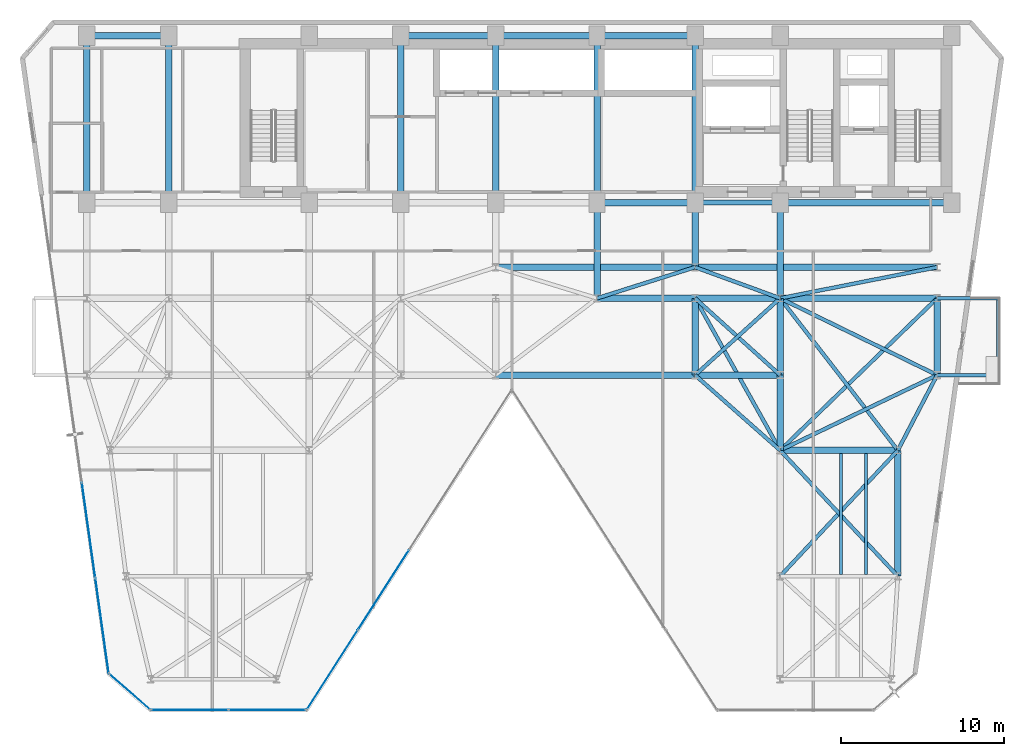
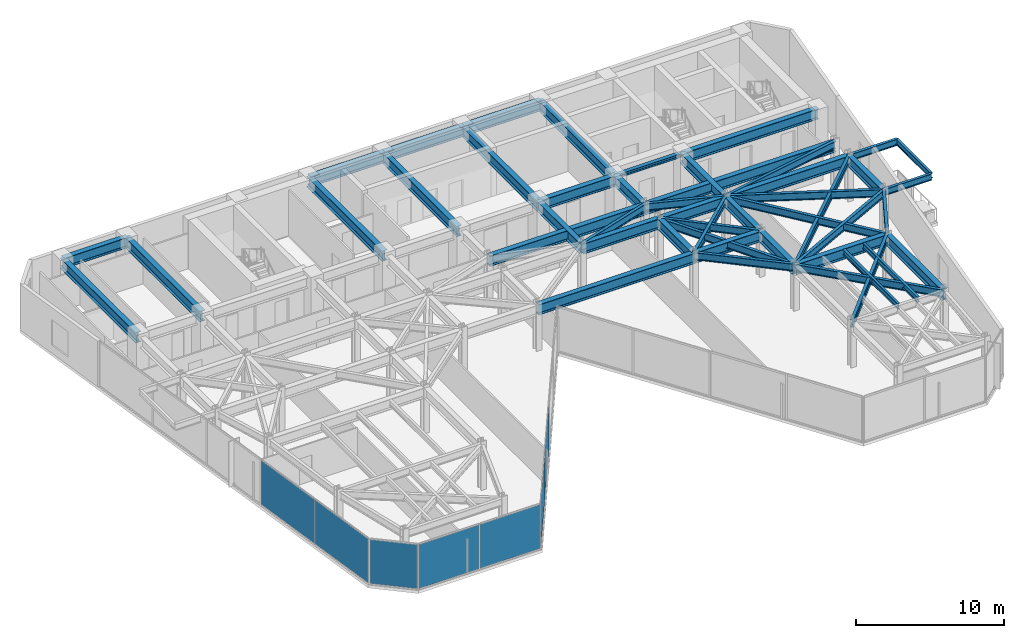
# One storey, part 20 of 26: 48 beams, 7 plates, 4 elements without a shape of their own.
"""IFC4 building model written with IfcOpenShell, lengths in metres."""

import ifcopenshell
import ifcopenshell.guid

model = None  # the IFC model being written
_history = None  # IfcOwnerHistory: only IFC2X3 demands one
_inside = {}  # id of a spatial element -> (the spatial element, [elements in it])
_under = {}  # id of a project, library or spatial element -> (it, [spatial elements below it])
_declared = {}  # id of a project -> (the project, [libraries it declares])
_typed = {}  # id of a type object -> (the type object, [elements of that type])
_made_of = {}  # id of a material, layer set ... -> (it, [elements and type objects made of it])


def new_model(schema):
    """Start an empty IFC model of exactly this schema.

    Asked for "IFC4X3", IfcOpenShell would pick the latest addendum, in which some entities
    have other attributes; the version numbers below select the first issue.
    IFC2X3 requires an IfcOwnerHistory on every rooted entity: one is made here for all.
    """
    global model, _history
    if schema == "IFC4X3":
        model = ifcopenshell.file(schema_version=(4, 3, 0, 0))
    else:
        model = ifcopenshell.file(schema=schema)
    _inside.clear()
    _under.clear()
    _declared.clear()
    _typed.clear()
    _made_of.clear()
    _history = None
    if model.schema == "IFC2X3":
        org = make("IfcOrganization", Name="unknown")
        user = make(
            "IfcPersonAndOrganization",
            ThePerson=make("IfcPerson", FamilyName="unknown"),
            TheOrganization=org,
        )
        app = make(
            "IfcApplication",
            ApplicationDeveloper=org,
            Version="unknown",
            ApplicationFullName="unknown",
            ApplicationIdentifier="unknown",
        )
        _history = make(
            "IfcOwnerHistory",
            OwningUser=user,
            OwningApplication=app,
            ChangeAction="ADDED",
            CreationDate=0,
        )
    return model


def make(cls, **values):
    """One entity of the class cls with the attributes given. An attribute that is None is left unset."""
    return model.create_entity(
        cls, **{name: value for name, value in values.items() if value is not None}
    )


def rooted(cls, **values):
    """An entity with a GlobalId (a new one), such as an element, a storey or a relation."""
    return make(cls, GlobalId=ifcopenshell.guid.new(), OwnerHistory=_history, **values)


def si_unit(unit_type, name, prefix=None):
    """IfcSIUnit, for example si_unit("LENGTHUNIT", "METRE", prefix="MILLI")."""
    return make("IfcSIUnit", UnitType=unit_type, Prefix=prefix, Name=name)


def assignment(units):
    """IfcUnitAssignment: the units of a project."""
    return None if units is None else make("IfcUnitAssignment", Units=units)


def point(xyz):
    """IfcCartesianPoint."""
    return None if xyz is None else make("IfcCartesianPoint", Coordinates=xyz)


def direction(xyz):
    """IfcDirection."""
    return None if xyz is None else make("IfcDirection", DirectionRatios=xyz)


def frame(location, z_axis=None, x_axis=None):
    """IfcAxis2Placement3D, a coordinate frame: its origin and axes. An axis left out is left unset."""
    return make(
        "IfcAxis2Placement3D",
        Location=point(location),
        Axis=direction(z_axis),
        RefDirection=direction(x_axis),
    )


def frame_2d(location, x_axis=None):
    """IfcAxis2Placement2D, a coordinate frame in the plane: its origin and x axis."""
    return make(
        "IfcAxis2Placement2D", Location=point(location), RefDirection=direction(x_axis)
    )


def origin():
    """The frame at (0, 0, 0) with its axes left unset."""
    return frame((0.0, 0.0, 0.0))


def origin_2d():
    """The frame at (0, 0) in the plane with its x axis left unset."""
    return frame_2d((0.0, 0.0))


def place(relative_to, where):
    """IfcLocalPlacement: puts the frame where relative to a parent placement (None: the world)."""
    return make(
        "IfcLocalPlacement", PlacementRelTo=relative_to, RelativePlacement=where
    )


def context(
    kind, dimensions, precision=None, world=None, true_north=None, identifier=None
):
    """IfcGeometricRepresentationContext, for example the 3D "Model" context."""
    return make(
        "IfcGeometricRepresentationContext",
        ContextIdentifier=identifier,
        ContextType=kind,
        CoordinateSpaceDimension=dimensions,
        Precision=precision,
        WorldCoordinateSystem=world,
        TrueNorth=true_north,
    )


def subcontext(parent, identifier, kind, view, scale=None):
    """IfcGeometricRepresentationSubContext, for example "Body" below "Model"."""
    return make(
        "IfcGeometricRepresentationSubContext",
        ContextIdentifier=identifier,
        ContextType=kind,
        ParentContext=parent,
        TargetScale=scale,
        TargetView=view,
    )


def project(units=None, contexts=None):
    """IfcProject with its units and contexts."""
    return rooted(
        "IfcProject",
        Name="project",
        RepresentationContexts=contexts,
        UnitsInContext=assignment(units),
    )


def spatial(cls, under=None, at=None, **own):
    """A site, building, storey or space (cls), placed at a placement, below another one or the project."""
    s = rooted(cls, ObjectPlacement=at, **own)
    if under is not None:
        _under.setdefault(under.id(), (under, []))[1].append(s)
    return s


def profile(cls, at=None, kind="AREA", **sizes):
    """A parametric profile (cls). Its sizes go by their IFC names, for example OverallWidth=200.0."""
    return make(cls, ProfileType=kind, Position=at, **sizes)


def rectangle(**sizes):
    """IfcRectangleProfileDef."""
    return profile("IfcRectangleProfileDef", **sizes)


def i_section(**sizes):
    """IfcIShapeProfileDef."""
    return profile("IfcIShapeProfileDef", **sizes)


def extrude(swept, where, along, depth):
    """IfcExtrudedAreaSolid: the profile swept, set in the frame where, extruded along a direction by depth."""
    return make(
        "IfcExtrudedAreaSolid",
        SweptArea=swept,
        Position=where,
        ExtrudedDirection=direction(along),
        Depth=depth,
    )


def shape(context_of_items, identifier, shape_type, items):
    """IfcShapeRepresentation: the items that make up one representation, for example the "Body"."""
    return make(
        "IfcShapeRepresentation",
        ContextOfItems=context_of_items,
        RepresentationIdentifier=identifier,
        RepresentationType=shape_type,
        Items=items,
    )


def material(Name=None, Category=None):
    """IfcMaterial."""
    return make("IfcMaterial", Name=Name, Category=Category)


def layer(
    of_material, thickness, ventilated=None, Name=None, Category=None, Priority=None
):
    """IfcMaterialLayer: one layer of a wall or slab, of a material (None: an air gap)."""
    return make(
        "IfcMaterialLayer",
        Material=of_material,
        LayerThickness=thickness,
        IsVentilated=ventilated,
        Name=Name,
        Category=Category,
        Priority=Priority,
    )


def layer_set(layers, Name=None):
    """IfcMaterialLayerSet."""
    return make("IfcMaterialLayerSet", MaterialLayers=layers, LayerSetName=Name)


def material_profile(
    of_material, cross_section, Name=None, Category=None, Priority=None
):
    """IfcMaterialProfile: a cross section and its material."""
    return make(
        "IfcMaterialProfile",
        Name=Name,
        Material=of_material,
        Profile=cross_section,
        Priority=Priority,
        Category=Category,
    )


def profile_set(profiles, Name=None, composite=None):
    """IfcMaterialProfileSet."""
    return make(
        "IfcMaterialProfileSet",
        Name=Name,
        MaterialProfiles=profiles,
        CompositeProfile=composite,
    )


def made_of(thing, what):
    """Note that an element or type object is made of a material, layer set ...; save() writes the relation."""
    if what is not None:
        _made_of.setdefault(what.id(), (what, []))[1].append(thing)
    return thing


def type_object(cls, material=None, **own):
    """A type object (cls), such as IfcWallType, which elements share."""
    return made_of(rooted(cls, **own), material)


def element(
    cls,
    number,
    at=None,
    inside=None,
    cuts=None,
    type_object=None,
    material=None,
    context=None,
    identifier="Body",
    shape_type=None,
    held_by="IfcProductDefinitionShape",
    body=None,
    shapes=None,
    **own,
):
    """One element of the class cls, such as IfcWall. Its Tag is "e" and its number.

    at: its placement. inside: the storey or other place that contains it. cuts: it is an
    opening in that element (IfcRelVoidsElement). A single representation is given by context,
    identifier, shape_type and body (its items); several are given by shapes. held_by: the class
    of the entity that holds the representations. save() writes the other relations.
    """
    e = rooted(cls, Tag="e%d" % number, ObjectPlacement=at, **own)
    if body is not None:
        shapes = [shape(context, identifier, shape_type, body)]
    if shapes is not None:
        e.Representation = make(held_by, Representations=shapes)
    if inside is not None:
        _inside.setdefault(inside.id(), (inside, []))[1].append(e)
    if cuts is not None:
        rooted(
            "IfcRelVoidsElement", RelatingBuildingElement=cuts, RelatedOpeningElement=e
        )
    if type_object is not None:
        _typed.setdefault(type_object.id(), (type_object, []))[1].append(e)
    return made_of(e, material)


def aggregate(whole, parts):
    """IfcRelAggregates: a whole, such as a stair, and the parts it consists of."""
    return rooted("IfcRelAggregates", RelatingObject=whole, RelatedObjects=parts)


def save(model, path):
    """Write the relations noted so far, then the file.

    IfcRelAggregates (storeys below a building ...), IfcRelContainedInSpatialStructure (elements
    in a storey), IfcRelDefinesByType, IfcRelAssociatesMaterial and IfcRelDeclares: one each for
    every whole, place, type object, material and project.
    """
    for whole, parts in _under.values():
        aggregate(whole, parts)
    for where, things in _inside.values():
        rooted(
            "IfcRelContainedInSpatialStructure",
            RelatedElements=things,
            RelatingStructure=where,
        )
    for kind, things in _typed.values():
        rooted("IfcRelDefinesByType", RelatedObjects=things, RelatingType=kind)
    for what, things in _made_of.values():
        rooted("IfcRelAssociatesMaterial", RelatedObjects=things, RelatingMaterial=what)
    for by, libraries in _declared.values():
        rooted("IfcRelDeclares", RelatingContext=by, RelatedDefinitions=libraries)
    model.write(path)


model = new_model("IFC4")

# Units and contexts
model_context = context("Model", 3, precision=1e-05, world=origin(), true_north=direction((0.0, 1.0)))
body_context = subcontext(model_context, "Body", "Model", "MODEL_VIEW")
ifc_project = project(units=[si_unit("LENGTHUNIT", "METRE"), si_unit("AREAUNIT", "SQUARE_METRE"), si_unit("VOLUMEUNIT", "CUBIC_METRE"), si_unit("PLANEANGLEUNIT", "RADIAN"), si_unit("MASSUNIT", "GRAM", prefix="KILO")], contexts=[model_context])

# Site, building, storey
site_placement = place(None, origin())
site = spatial("IfcSite", under=ifc_project, at=site_placement, CompositionType="ELEMENT")
building_placement = place(site_placement, origin())
building = spatial("IfcBuilding", under=site, at=building_placement, Name="Kravanh Interchange Tower", CompositionType="ELEMENT")
storey_placement = place(building_placement, frame((0.0, 0.0, 100.0)))
storey = spatial("IfcBuildingStorey", under=building, at=storey_placement, Name="L23", CompositionType="ELEMENT", Elevation=100.0)

# Beams
ifc_material_1 = material(Name="Structural Steel S355", Category="steel")
ifc_material_profile_1 = material_profile(ifc_material_1, i_section(OverallWidth=0.39990234375, OverallDepth=0.85595703125, WebThickness=0.018310546875, FlangeThickness=0.029296875, FilletRadius=0.02490234375, at=origin_2d()), Name="W33X201")
ifc_profile_set_1 = profile_set([ifc_material_profile_1], Name="Structural Steel S355")
beam_type_1 = type_object("IfcBeamType", Name="Floor Beam W33X201 Structural Steel S355", PredefinedType="BEAM", material=ifc_profile_set_1)
beam_1_placement = place(storey_placement, frame((66.5, 37.35009765625, 3.322021484375), z_axis=(-1.0, 0.0, 0.0), x_axis=(0.0, -1.0, 0.0)))
element("IfcBeam", 1, at=beam_1_placement, inside=storey, type_object=beam_type_1, Name="L23 Primary Floor Girder 5", PredefinedType="BEAM", context=body_context, shape_type="SweptSolid", body=[
    extrude(i_section(OverallWidth=0.39990234375, OverallDepth=0.85595703125, WebThickness=0.018310546875, FlangeThickness=0.029296875, FilletRadius=0.02490234375, at=origin_2d()), origin(), (0.0, 0.0, 1.0), 10.5),
])
beam_2_placement = place(storey_placement, frame((56.0, 37.35009765625, 3.322021484375), z_axis=(0.0, -1.0, 0.0), x_axis=(1.0, 0.0, 0.0)))
element("IfcBeam", 2, at=beam_2_placement, inside=storey, type_object=beam_type_1, Name="L23 Primary Floor Girder 7", PredefinedType="BEAM", context=body_context, shape_type="SweptSolid", body=[
    extrude(i_section(OverallWidth=0.39990234375, OverallDepth=0.85595703125, WebThickness=0.018310546875, FlangeThickness=0.029296875, FilletRadius=0.02490234375, at=origin_2d()), origin(), (0.0, 0.0, 1.0), 5.85009765625),
])
beam_3_placement = place(storey_placement, frame((50.800048828125, 47.550048828125, 3.322021484375), z_axis=(-1.0, 0.0, 0.0), x_axis=(0.0, -1.0, 0.0)))
element("IfcBeam", 3, at=beam_3_placement, inside=storey, type_object=beam_type_1, Name="L23 Primary Floor Girder 8", PredefinedType="BEAM", context=body_context, shape_type="SweptSolid", body=[
    extrude(i_section(OverallWidth=0.39990234375, OverallDepth=0.85595703125, WebThickness=0.018310546875, FlangeThickness=0.029296875, FilletRadius=0.02490234375, at=origin_2d()), origin(), (0.0, 0.0, 1.0), 6.0),
])
beam_4_placement = place(storey_placement, frame((50.800048828125, 47.550048828125, 3.322021484375), z_axis=(0.0, -1.0, 0.0), x_axis=(1.0, 0.0, 0.0)))
element("IfcBeam", 4, at=beam_4_placement, inside=storey, type_object=beam_type_1, Name="L23 Primary Floor Girder 9", PredefinedType="BEAM", context=body_context, shape_type="SweptSolid", body=[
    extrude(i_section(OverallWidth=0.39990234375, OverallDepth=0.85595703125, WebThickness=0.018310546875, FlangeThickness=0.029296875, FilletRadius=0.02490234375, at=origin_2d()), origin(), (0.0, 0.0, 1.0), 10.199951171875),
])
beam_5_placement = place(storey_placement, frame((50.800048828125, 37.35009765625, 3.322021484375), z_axis=(0.0, -1.0, 0.0), x_axis=(1.0, 0.0, 0.0)))
element("IfcBeam", 5, at=beam_5_placement, inside=storey, type_object=beam_type_1, Name="L23 Primary Floor Girder 10", PredefinedType="BEAM", context=body_context, shape_type="SweptSolid", body=[
    extrude(i_section(OverallWidth=0.39990234375, OverallDepth=0.85595703125, WebThickness=0.018310546875, FlangeThickness=0.029296875, FilletRadius=0.02490234375, at=origin_2d()), origin(), (0.0, 0.0, 1.0), 3.9501953125),
])
beam_6_placement = place(storey_placement, frame((50.800048828125, 37.35009765625, 3.322021484375), z_axis=(-1.0, 0.0, 0.0), x_axis=(0.0, -1.0, 0.0)))
element("IfcBeam", 6, at=beam_6_placement, inside=storey, type_object=beam_type_1, Name="L23 Primary Floor Girder 11", PredefinedType="BEAM", context=body_context, shape_type="SweptSolid", body=[
    extrude(i_section(OverallWidth=0.39990234375, OverallDepth=0.85595703125, WebThickness=0.018310546875, FlangeThickness=0.029296875, FilletRadius=0.02490234375, at=origin_2d()), origin(), (0.0, 0.0, 1.0), 6.0),
])
beam_7_placement = place(storey_placement, frame((44.800048828125, 37.35009765625, 3.322021484375), z_axis=(0.0, -1.0, 0.0), x_axis=(1.0, 0.0, 0.0)))
element("IfcBeam", 7, at=beam_7_placement, inside=storey, type_object=beam_type_1, Name="L23 Primary Floor Girder 12", PredefinedType="BEAM", context=body_context, shape_type="SweptSolid", body=[
    extrude(i_section(OverallWidth=0.39990234375, OverallDepth=0.85595703125, WebThickness=0.018310546875, FlangeThickness=0.029296875, FilletRadius=0.02490234375, at=origin_2d()), origin(), (0.0, 0.0, 1.0), 5.85009765625),
])
beam_8_placement = place(storey_placement, frame((44.800048828125, 37.35009765625, 3.322021484375), z_axis=(0.0, 1.0, 0.0), x_axis=(-1.0, 0.0, 0.0)))
element("IfcBeam", 8, at=beam_8_placement, inside=storey, type_object=beam_type_1, Name="L23 Primary Floor Girder 14", PredefinedType="BEAM", context=body_context, shape_type="SweptSolid", body=[
    extrude(i_section(OverallWidth=0.39990234375, OverallDepth=0.85595703125, WebThickness=0.018310546875, FlangeThickness=0.029296875, FilletRadius=0.02490234375, at=origin_2d()), origin(), (0.0, 0.0, 1.0), 10.199951171875),
])
beam_9_placement = place(storey_placement, frame((44.800048828125, 47.550048828125, 3.322021484375), z_axis=(-1.0, 0.0, 0.0), x_axis=(0.0, -1.0, 0.0)))
element("IfcBeam", 9, at=beam_9_placement, inside=storey, type_object=beam_type_1, Name="L23 Primary Floor Girder 15", PredefinedType="BEAM", context=body_context, shape_type="SweptSolid", body=[
    extrude(i_section(OverallWidth=0.39990234375, OverallDepth=0.85595703125, WebThickness=0.018310546875, FlangeThickness=0.029296875, FilletRadius=0.02490234375, at=origin_2d()), origin(), (0.0, 0.0, 1.0), 6.199951171875),
])
beam_10_placement = place(storey_placement, frame((38.60009765625, 37.35009765625, 3.322021484375), z_axis=(0.0, 1.0, 0.0), x_axis=(-1.0, 0.0, 0.0)))
element("IfcBeam", 10, at=beam_10_placement, inside=storey, type_object=beam_type_1, Name="L23 Primary Floor Girder 18", PredefinedType="BEAM", context=body_context, shape_type="SweptSolid", body=[
    extrude(i_section(OverallWidth=0.39990234375, OverallDepth=0.85595703125, WebThickness=0.018310546875, FlangeThickness=0.029296875, FilletRadius=0.02490234375, at=origin_2d()), origin(), (0.0, 0.0, 1.0), 10.199951171875),
])
beam_11_placement = place(storey_placement, frame((38.60009765625, 47.550048828125, 3.322021484375), z_axis=(-1.0, 0.0, 0.0), x_axis=(0.0, -1.0, 0.0)))
element("IfcBeam", 11, at=beam_11_placement, inside=storey, type_object=beam_type_1, Name="L23 Primary Floor Girder 19", PredefinedType="BEAM", context=body_context, shape_type="SweptSolid", body=[
    extrude(i_section(OverallWidth=0.39990234375, OverallDepth=0.85595703125, WebThickness=0.018310546875, FlangeThickness=0.029296875, FilletRadius=0.02490234375, at=origin_2d()), origin(), (0.0, 0.0, 1.0), 5.800048828125),
])
for number, where, z_axis, x_axis, name in (
    (12, (32.800048828125, 37.35009765625, 3.322021484375), (0.0, 1.0, 0.0), (-1.0, 0.0, 0.0), "L23 Primary Floor Girder 22"),
    (13, (18.60009765625, 37.35009765625, 3.322021484375), (0.0, 1.0, 0.0), (-1.0, 0.0, 0.0), "L23 Primary Floor Girder 30"),
):
    element("IfcBeam", number, at=place(storey_placement, frame(where, z_axis=z_axis, x_axis=x_axis)), inside=storey, type_object=beam_type_1, Name=name, PredefinedType="BEAM", context=body_context, shape_type="SweptSolid", body=[
        extrude(i_section(OverallWidth=0.39990234375, OverallDepth=0.85595703125, WebThickness=0.018310546875, FlangeThickness=0.029296875, FilletRadius=0.02490234375, at=origin_2d()), origin(), (0.0, 0.0, 1.0), 10.199951171875),
    ])
beam_12_placement = place(storey_placement, frame((18.60009765625, 47.550048828125, 3.322021484375), z_axis=(-1.0, 0.0, 0.0), x_axis=(0.0, -1.0, 0.0)))
element("IfcBeam", 14, at=beam_12_placement, inside=storey, type_object=beam_type_1, Name="L23 Primary Floor Girder 31", PredefinedType="BEAM", context=body_context, shape_type="SweptSolid", body=[
    extrude(i_section(OverallWidth=0.39990234375, OverallDepth=0.85595703125, WebThickness=0.018310546875, FlangeThickness=0.029296875, FilletRadius=0.02490234375, at=origin_2d()), origin(), (0.0, 0.0, 1.0), 5.0),
])
beam_13_placement = place(storey_placement, frame((13.60009765625, 37.35009765625, 3.322021484375), z_axis=(0.0, 1.0, 0.0), x_axis=(-1.0, 0.0, 0.0)))
element("IfcBeam", 15, at=beam_13_placement, inside=storey, type_object=beam_type_1, Name="L23 Primary Floor Girder 33", PredefinedType="BEAM", context=body_context, shape_type="SweptSolid", body=[
    extrude(i_section(OverallWidth=0.39990234375, OverallDepth=0.85595703125, WebThickness=0.018310546875, FlangeThickness=0.029296875, FilletRadius=0.02490234375, at=origin_2d()), origin(), (0.0, 0.0, 1.0), 10.199951171875),
])
beam_14_placement = place(storey_placement, frame((38.60009765625, 26.800048828125, 3.322021484375), z_axis=(1.0, 0.0, 0.0), x_axis=(0.0, 1.0, 0.0)))
element("IfcBeam", 16, at=beam_14_placement, inside=storey, type_object=beam_type_1, Name="L23 Primary Floor Girder 56", PredefinedType="BEAM", context=body_context, shape_type="SweptSolid", body=[
    extrude(i_section(OverallWidth=0.39990234375, OverallDepth=0.85595703125, WebThickness=0.018310546875, FlangeThickness=0.029296875, FilletRadius=0.02490234375, at=origin_2d()), origin(), (0.0, 0.0, 1.0), 12.199951171875),
])
beam_15_placement = place(storey_placement, frame((50.800048828125, 26.800048828125, 3.322021484375), z_axis=(0.0, 1.0, 0.0), x_axis=(-1.0, 0.0, 0.0)))
element("IfcBeam", 17, at=beam_15_placement, inside=storey, type_object=beam_type_1, Name="L23 Primary Floor Girder 57", PredefinedType="BEAM", context=body_context, shape_type="SweptSolid", body=[
    extrude(i_section(OverallWidth=0.39990234375, OverallDepth=0.85595703125, WebThickness=0.018310546875, FlangeThickness=0.029296875, FilletRadius=0.02490234375, at=origin_2d()), origin(), (0.0, 0.0, 1.0), 4.699951171875),
])
beam_16_placement = place(storey_placement, frame((50.800048828125, 26.800048828125, 3.322021484375), z_axis=(1.0, 0.0, 0.0), x_axis=(0.0, 1.0, 0.0)))
element("IfcBeam", 18, at=beam_16_placement, inside=storey, type_object=beam_type_1, Name="L23 Primary Floor Girder 58", PredefinedType="BEAM", context=body_context, shape_type="SweptSolid", body=[
    extrude(i_section(OverallWidth=0.39990234375, OverallDepth=0.85595703125, WebThickness=0.018310546875, FlangeThickness=0.029296875, FilletRadius=0.02490234375, at=origin_2d()), origin(), (0.0, 0.0, 1.0), 5.199951171875),
])
beam_17_placement = place(storey_placement, frame((56.0, 26.800048828125, 3.322021484375), z_axis=(0.0, -1.0, 0.0), x_axis=(1.0, 0.0, 0.0)))
element("IfcBeam", 19, at=beam_17_placement, inside=storey, type_object=beam_type_1, Name="L23 Primary Floor Girder 61", PredefinedType="BEAM", context=body_context, shape_type="SweptSolid", body=[
    extrude(i_section(OverallWidth=0.39990234375, OverallDepth=0.85595703125, WebThickness=0.018310546875, FlangeThickness=0.029296875, FilletRadius=0.02490234375, at=origin_2d()), origin(), (0.0, 0.0, 1.0), 4.60009765625),
])
for number, where, z_axis, x_axis, name in (
    (20, (56.0, 26.800048828125, 3.322021484375), (0.0, 1.0, 0.0), (-1.0, 0.0, 0.0), "L23 Primary Floor Girder 62"),
    (21, (65.60009765625, 26.800048828125, 3.322021484375), (0.0, 1.0, 0.0), (-1.0, 0.0, 0.0), "L23 Primary Floor Girder 65"),
):
    element("IfcBeam", number, at=place(storey_placement, frame(where, z_axis=z_axis, x_axis=x_axis)), inside=storey, type_object=beam_type_1, Name=name, PredefinedType="BEAM", context=body_context, shape_type="SweptSolid", body=[
        extrude(i_section(OverallWidth=0.39990234375, OverallDepth=0.85595703125, WebThickness=0.018310546875, FlangeThickness=0.029296875, FilletRadius=0.02490234375, at=origin_2d()), origin(), (0.0, 0.0, 1.0), 4.699951171875),
    ])
beam_18_placement = place(storey_placement, frame((44.800048828125, 31.5, 3.322021484375), z_axis=(1.0, 0.0, 0.0), x_axis=(0.0, 1.0, 0.0)))
element("IfcBeam", 22, at=beam_18_placement, inside=storey, type_object=beam_type_1, Name="L23 Primary Floor Girder 83", PredefinedType="BEAM", context=body_context, shape_type="SweptSolid", body=[
    extrude(i_section(OverallWidth=0.39990234375, OverallDepth=0.85595703125, WebThickness=0.018310546875, FlangeThickness=0.029296875, FilletRadius=0.02490234375, at=origin_2d()), origin(), (0.0, 0.0, 1.0), 6.0),
])
beam_19_placement = place(storey_placement, frame((50.800048828125, 31.5, 3.322021484375), z_axis=(1.0, 0.0, 0.0), x_axis=(0.0, 1.0, 0.0)))
element("IfcBeam", 23, at=beam_19_placement, inside=storey, type_object=beam_type_1, Name="L23 Primary Floor Girder 86", PredefinedType="BEAM", context=body_context, shape_type="SweptSolid", body=[
    extrude(i_section(OverallWidth=0.39990234375, OverallDepth=0.85595703125, WebThickness=0.018310546875, FlangeThickness=0.029296875, FilletRadius=0.02490234375, at=origin_2d()), origin(), (0.0, 0.0, 1.0), 5.199951171875),
])
beam_20_placement = place(storey_placement, frame((56.0, 31.5, 3.322021484375), z_axis=(1.0, 0.0, 0.0), x_axis=(0.0, 1.0, 0.0)))
element("IfcBeam", 24, at=beam_20_placement, inside=storey, type_object=beam_type_1, Name="L23 Primary Floor Girder 90", PredefinedType="BEAM", context=body_context, shape_type="SweptSolid", body=[
    extrude(i_section(OverallWidth=0.39990234375, OverallDepth=0.85595703125, WebThickness=0.018310546875, FlangeThickness=0.029296875, FilletRadius=0.02490234375, at=origin_2d()), origin(), (0.0, 0.0, 1.0), 9.60009765625),
])
beam_21_placement = place(storey_placement, frame((63.199951171875, 14.5, 3.322021484375), z_axis=(0.0, 1.0, 0.0), x_axis=(-1.0, 0.0, 0.0)))
element("IfcBeam", 25, at=beam_21_placement, inside=storey, type_object=beam_type_1, Name="L23 Primary Floor Girder 106", PredefinedType="BEAM", context=body_context, shape_type="SweptSolid", body=[
    extrude(i_section(OverallWidth=0.39990234375, OverallDepth=0.85595703125, WebThickness=0.018310546875, FlangeThickness=0.029296875, FilletRadius=0.02490234375, at=origin_2d()), origin(), (0.0, 0.0, 1.0), 7.699951171875),
])
beam_22_placement = place(storey_placement, frame((56.0, 22.199951171875, 3.322021484375), z_axis=(1.0, 0.0, 0.0), x_axis=(0.0, 1.0, 0.0)))
element("IfcBeam", 26, at=beam_22_placement, inside=storey, type_object=beam_type_1, Name="L23 Primary Floor Girder 109", PredefinedType="BEAM", context=body_context, shape_type="SweptSolid", body=[
    extrude(i_section(OverallWidth=0.39990234375, OverallDepth=0.85595703125, WebThickness=0.018310546875, FlangeThickness=0.029296875, FilletRadius=0.02490234375, at=origin_2d()), origin(), (0.0, 0.0, 1.0), 7.199951171875),
])
beam_23_placement = place(storey_placement, frame((38.60009765625, 33.39990234375, 3.322021484375), z_axis=(1.0, 0.0, 0.0), x_axis=(0.0, 1.0, 0.0)))
element("IfcBeam", 27, at=beam_23_placement, inside=storey, type_object=beam_type_1, Name="L23 Primary Floor Girder 111", PredefinedType="BEAM", context=body_context, shape_type="SweptSolid", body=[
    extrude(i_section(OverallWidth=0.39990234375, OverallDepth=0.85595703125, WebThickness=0.018310546875, FlangeThickness=0.029296875, FilletRadius=0.02490234375, at=origin_2d()), origin(), (0.0, 0.0, 1.0), 12.199951171875),
])
beam_24_placement = place(storey_placement, frame((50.800048828125, 33.39990234375, 3.322021484375), z_axis=(1.0, 0.0, 0.0), x_axis=(0.0, 1.0, 0.0)))
element("IfcBeam", 28, at=beam_24_placement, inside=storey, type_object=beam_type_1, Name="L23 Primary Floor Girder 112", PredefinedType="BEAM", context=body_context, shape_type="SweptSolid", body=[
    extrude(i_section(OverallWidth=0.39990234375, OverallDepth=0.85595703125, WebThickness=0.018310546875, FlangeThickness=0.029296875, FilletRadius=0.02490234375, at=origin_2d()), origin(), (0.0, 0.0, 1.0), 14.800048828125),
])
ifc_material_2 = material(Name="Structural Steel S355", Category="steel")
ifc_material_profile_2 = material_profile(ifc_material_2, i_section(OverallWidth=0.18994140625, OverallDepth=0.45703125, WebThickness=0.009033203125, FlangeThickness=0.014404296875, FilletRadius=0.01806640625, at=origin_2d()), Name="W18X50")
ifc_profile_set_2 = profile_set([ifc_material_profile_2], Name="Structural Steel S355")
beam_type_2 = type_object("IfcBeamType", Name="Floor Joist W18X50 Structural Steel S355", PredefinedType="JOIST", material=ifc_profile_set_2)
for number, where, z_axis, x_axis, name in (
    (29, (59.718017578125, 14.60888671875, 3.521484375), (0.0, 1.0, 0.0), (-1.0, 0.0, 0.0), "L23 Secondary Floor Joist 11"),
    (30, (61.251953125, 14.60888671875, 3.521484375), (0.0, 1.0, 0.0), (-1.0, 0.0, 0.0), "L23 Secondary Floor Joist 12"),
):
    element("IfcBeam", number, at=place(storey_placement, frame(where, z_axis=z_axis, x_axis=x_axis)), inside=storey, type_object=beam_type_2, Name=name, PredefinedType="JOIST", context=body_context, shape_type="SweptSolid", body=[
        extrude(i_section(OverallWidth=0.18994140625, OverallDepth=0.45703125, WebThickness=0.009033203125, FlangeThickness=0.014404296875, FilletRadius=0.01806640625, at=origin_2d()), origin(), (0.0, 0.0, 1.0), 7.39599609375),
    ])
beam_25_placement = place(storey_placement, frame((69.319091796875, 26.800048828125, 3.521484375), z_axis=(0.0, 1.0, 0.0), x_axis=(-1.0, 0.0, 0.0)))
element("IfcBeam", 31, at=beam_25_placement, inside=storey, type_object=beam_type_2, Name="L23 Balcony Edge Tie Beam E", PredefinedType="JOIST", context=body_context, shape_type="SweptSolid", body=[
    extrude(i_section(OverallWidth=0.18994140625, OverallDepth=0.45703125, WebThickness=0.009033203125, FlangeThickness=0.014404296875, FilletRadius=0.01806640625, at=origin_2d()), origin(), (0.0, 0.0, 1.0), 4.699951171875),
])
ifc_material_3 = material(Name="Structural Steel S355", Category="steel")
ifc_material_profile_3 = material_profile(ifc_material_3, i_section(OverallWidth=0.304931640625, OverallDepth=0.306884765625, WebThickness=0.010009765625, FlangeThickness=0.015380859375, FilletRadius=0.014892578125, at=origin_2d()), Name="W12X65")
ifc_profile_set_3 = profile_set([ifc_material_profile_3], Name="Structural Steel S355")
beam_type_3 = type_object("IfcBeamType", Name="Floor Lintel W12X65 Structural Steel S355", PredefinedType="LINTEL", material=ifc_profile_set_3)
beam_26_placement = place(storey_placement, frame((50.800048828125, 37.35009765625, 3.596435546875), z_axis=(1.0, 0.0, 0.0), x_axis=(0.0, 1.0, 0.0)))
element("IfcBeam", 32, at=beam_26_placement, inside=storey, type_object=beam_type_3, Name="L23 Core Coupling Lintel 1", PredefinedType="LINTEL", context=body_context, shape_type="SweptSolid", body=[
    extrude(i_section(OverallWidth=0.304931640625, OverallDepth=0.306884765625, WebThickness=0.010009765625, FlangeThickness=0.015380859375, FilletRadius=0.014892578125, at=origin_2d()), origin(), (0.0, 0.0, 1.0), 5.199951171875),
])
ifc_material_4 = material(Name="Structural Steel S355", Category="steel")
ifc_material_profile_4 = material_profile(ifc_material_4, i_section(OverallWidth=0.2099609375, OverallDepth=0.537109375, WebThickness=0.010986328125, FlangeThickness=0.017333984375, FilletRadius=0.02001953125, at=origin_2d()), Name="W21X68")
ifc_profile_set_4 = profile_set([ifc_material_profile_4], Name="Structural Steel S355")
beam_type_4 = type_object("IfcBeamType", Name="Floor Spandrel W21X68 Structural Steel S355", PredefinedType="SPANDREL", material=ifc_profile_set_4)
for number, where, z_axis, x_axis, name in (
    (33, (65.60009765625, 26.800048828125, 3.4814453125), (1.0, 0.0, 0.0), (0.0, 1.0, 0.0), "L23 Balcony Cantilever Outrigger E1"),
    (34, (65.60009765625, 31.5, 3.4814453125), (1.0, 0.0, 0.0), (0.0, 1.0, 0.0), "L23 Balcony Cantilever Outrigger E2"),
):
    element("IfcBeam", number, at=place(storey_placement, frame(where, z_axis=z_axis, x_axis=x_axis)), inside=storey, type_object=beam_type_4, Name=name, PredefinedType="SPANDREL", context=body_context, shape_type="SweptSolid", body=[
        extrude(i_section(OverallWidth=0.2099609375, OverallDepth=0.537109375, WebThickness=0.010986328125, FlangeThickness=0.017333984375, FilletRadius=0.02001953125, at=origin_2d()), origin(), (0.0, 0.0, 1.0), 3.718994140625),
    ])
ifc_material_5 = material(Name="Structural Steel S355", Category="steel")
ifc_material_profile_5 = material_profile(ifc_material_5, i_section(OverallWidth=0.22802734375, OverallDepth=0.60791015625, WebThickness=0.01123046875, FlangeThickness=0.017333984375, FilletRadius=0.02197265625, at=origin_2d()), Name="W24X76")
ifc_profile_set_5 = profile_set([ifc_material_profile_5], Name="Structural Steel S355")
beam_type_5 = type_object("IfcBeamType", Name="Floor Spandrel W24X76 Structural Steel S355", PredefinedType="SPANDREL", material=ifc_profile_set_5)
beam_27_placement = place(storey_placement, frame((50.800048828125, 26.800048828125, 3.446044921875), z_axis=(0.74898649432, -0.662585263439, 0.0), x_axis=(0.662585263439, 0.74898649432, 0.0)))
element("IfcBeam", 35, at=beam_27_placement, inside=storey, type_object=beam_type_5, Name="L23 Perimeter Spandrel 59", PredefinedType="SPANDREL", context=body_context, shape_type="SweptSolid", body=[
    extrude(i_section(OverallWidth=0.22802734375, OverallDepth=0.60791015625, WebThickness=0.01123046875, FlangeThickness=0.017333984375, FilletRadius=0.02197265625, at=origin_2d()), origin(), (0.0, 0.0, 1.0), 6.942626953125),
])
for number, where, z_axis, x_axis, name in (
    (36, (50.800048828125, 26.800048828125, 3.446044921875), (0.741874009795, 0.670539300557, 0.0), (-0.670539300557, 0.741874009795, 0.0), "L23 Perimeter Spandrel 60"),
    (37, (56.0, 26.800048828125, 3.446044921875), (-0.741874009795, 0.670539300557, 0.0), (-0.670539300557, -0.741874009795, 0.0), "L23 Perimeter Spandrel 63"),
):
    element("IfcBeam", number, at=place(storey_placement, frame(where, z_axis=z_axis, x_axis=x_axis)), inside=storey, type_object=beam_type_5, Name=name, PredefinedType="SPANDREL", context=body_context, shape_type="SweptSolid", body=[
        extrude(i_section(OverallWidth=0.22802734375, OverallDepth=0.60791015625, WebThickness=0.01123046875, FlangeThickness=0.017333984375, FilletRadius=0.02197265625, at=origin_2d()), origin(), (0.0, 0.0, 1.0), 7.00927734375),
    ])
beam_28_placement = place(storey_placement, frame((65.60009765625, 26.800048828125, 3.446044921875), z_axis=(-0.462580479178, -0.886577295155, 0.0), x_axis=(0.886577295155, -0.462580479178, 0.0)))
element("IfcBeam", 38, at=beam_28_placement, inside=storey, type_object=beam_type_5, Name="L23 Perimeter Spandrel 66", PredefinedType="SPANDREL", context=body_context, shape_type="SweptSolid", body=[
    extrude(i_section(OverallWidth=0.22802734375, OverallDepth=0.60791015625, WebThickness=0.01123046875, FlangeThickness=0.017333984375, FilletRadius=0.02197265625, at=origin_2d()), origin(), (0.0, 0.0, 1.0), 5.188720703125),
])
beam_29_placement = place(storey_placement, frame((65.60009765625, 26.800048828125, 3.446044921875), z_axis=(-0.901814166789, -0.432124066188, 0.0), x_axis=(0.432124066188, -0.901814166789, 0.0)))
element("IfcBeam", 39, at=beam_29_placement, inside=storey, type_object=beam_type_5, Name="L23 Perimeter Spandrel 67", PredefinedType="SPANDREL", context=body_context, shape_type="SweptSolid", body=[
    extrude(i_section(OverallWidth=0.22802734375, OverallDepth=0.60791015625, WebThickness=0.01123046875, FlangeThickness=0.017333984375, FilletRadius=0.02197265625, at=origin_2d()), origin(), (0.0, 0.0, 1.0), 10.645263671875),
])
beam_30_placement = place(storey_placement, frame((65.60009765625, 26.800048828125, 3.446044921875), z_axis=(-0.898141688387, 0.439706160499, 0.0), x_axis=(-0.439706160499, -0.898141688387, 0.0)))
element("IfcBeam", 40, at=beam_30_placement, inside=storey, type_object=beam_type_5, Name="L23 Perimeter Spandrel 68", PredefinedType="SPANDREL", context=body_context, shape_type="SweptSolid", body=[
    extrude(i_section(OverallWidth=0.22802734375, OverallDepth=0.60791015625, WebThickness=0.01123046875, FlangeThickness=0.017333984375, FilletRadius=0.02197265625, at=origin_2d()), origin(), (0.0, 0.0, 1.0), 10.68896484375),
])
beam_31_placement = place(storey_placement, frame((44.800048828125, 31.5, 3.446044921875), z_axis=(0.953346691051, 0.301877602122, 0.0), x_axis=(-0.301877602122, 0.953346691051, 0.0)))
element("IfcBeam", 41, at=beam_31_placement, inside=storey, type_object=beam_type_5, Name="L23 Perimeter Spandrel 84", PredefinedType="SPANDREL", context=body_context, shape_type="SweptSolid", body=[
    extrude(i_section(OverallWidth=0.22802734375, OverallDepth=0.60791015625, WebThickness=0.01123046875, FlangeThickness=0.017333984375, FilletRadius=0.02197265625, at=origin_2d()), origin(), (0.0, 0.0, 1.0), 6.293701171875),
])
beam_32_placement = place(storey_placement, frame((50.800048828125, 31.5, 3.446044921875), z_axis=(0.488026248114, -0.872828952975, 0.0), x_axis=(0.872828952975, 0.488026248114, 0.0)))
element("IfcBeam", 42, at=beam_32_placement, inside=storey, type_object=beam_type_5, Name="L23 Perimeter Spandrel 87", PredefinedType="SPANDREL", context=body_context, shape_type="SweptSolid", body=[
    extrude(i_section(OverallWidth=0.22802734375, OverallDepth=0.60791015625, WebThickness=0.01123046875, FlangeThickness=0.017333984375, FilletRadius=0.02197265625, at=origin_2d()), origin(), (0.0, 0.0, 1.0), 10.655029296875),
])
beam_33_placement = place(storey_placement, frame((56.0, 31.5, 3.446044921875), z_axis=(-0.93926957103, 0.343180233896, 0.0), x_axis=(-0.343180233896, -0.93926957103, 0.0)))
element("IfcBeam", 43, at=beam_33_placement, inside=storey, type_object=beam_type_5, Name="L23 Perimeter Spandrel 89", PredefinedType="SPANDREL", context=body_context, shape_type="SweptSolid", body=[
    extrude(i_section(OverallWidth=0.22802734375, OverallDepth=0.60791015625, WebThickness=0.01123046875, FlangeThickness=0.017333984375, FilletRadius=0.02197265625, at=origin_2d()), origin(), (0.0, 0.0, 1.0), 5.5361328125),
])
beam_34_placement = place(storey_placement, frame((56.0, 31.5, 3.446044921875), z_axis=(0.980974000807, 0.194139150457, 0.0), x_axis=(-0.194139150457, 0.980974000807, 0.0)))
element("IfcBeam", 44, at=beam_34_placement, inside=storey, type_object=beam_type_5, Name="L23 Perimeter Spandrel 91", PredefinedType="SPANDREL", context=body_context, shape_type="SweptSolid", body=[
    extrude(i_section(OverallWidth=0.22802734375, OverallDepth=0.60791015625, WebThickness=0.01123046875, FlangeThickness=0.017333984375, FilletRadius=0.02197265625, at=origin_2d()), origin(), (0.0, 0.0, 1.0), 9.786376953125),
])
beam_35_placement = place(storey_placement, frame((56.0, 31.5, 3.446044921875), z_axis=(0.612168587637, -0.790727273028, 0.0), x_axis=(0.790727273028, 0.612168587637, 0.0)))
element("IfcBeam", 45, at=beam_35_placement, inside=storey, type_object=beam_type_5, Name="L23 Perimeter Spandrel 92", PredefinedType="SPANDREL", context=body_context, shape_type="SweptSolid", body=[
    extrude(i_section(OverallWidth=0.22802734375, OverallDepth=0.60791015625, WebThickness=0.01123046875, FlangeThickness=0.017333984375, FilletRadius=0.02197265625, at=origin_2d()), origin(), (0.0, 0.0, 1.0), 11.761474609375),
])
beam_36_placement = place(storey_placement, frame((65.60009765625, 31.5, 3.446044921875), z_axis=(-0.718241934329, -0.695793449072, 0.0), x_axis=(0.695793449072, -0.718241934329, 0.0)))
element("IfcBeam", 46, at=beam_36_placement, inside=storey, type_object=beam_type_5, Name="L23 Perimeter Spandrel 94", PredefinedType="SPANDREL", context=body_context, shape_type="SweptSolid", body=[
    extrude(i_section(OverallWidth=0.22802734375, OverallDepth=0.60791015625, WebThickness=0.01123046875, FlangeThickness=0.017333984375, FilletRadius=0.02197265625, at=origin_2d()), origin(), (0.0, 0.0, 1.0), 13.3662109375),
])
for number, where, z_axis, x_axis, name in (
    (47, (56.0, 14.5, 3.446044921875), (0.682993762113, 0.73042420614, 0.0), (-0.73042420614, 0.682993762113, 0.0), "L23 Perimeter Spandrel 105"),
    (48, (63.199951171875, 14.5, 3.446044921875), (-0.682993762113, 0.73042420614, 0.0), (-0.73042420614, -0.682993762113, 0.0), "L23 Perimeter Spandrel 107"),
):
    element("IfcBeam", number, at=place(storey_placement, frame(where, z_axis=z_axis, x_axis=x_axis)), inside=storey, type_object=beam_type_5, Name=name, PredefinedType="SPANDREL", context=body_context, shape_type="SweptSolid", body=[
        extrude(i_section(OverallWidth=0.22802734375, OverallDepth=0.60791015625, WebThickness=0.01123046875, FlangeThickness=0.017333984375, FilletRadius=0.02197265625, at=origin_2d()), origin(), (0.0, 0.0, 1.0), 10.541748046875),
    ])

# Curtain wall, plates
ifc_material_6 = material(Name="Anodised Bronze Aluminium", Category="aluminium")
ifc_layer_1 = layer(ifc_material_6, 0.179931640625)
ifc_layer_set_1 = layer_set([ifc_layer_1], Name="Unitised Curtain Wall System CW-Z2 Mid Office")
curtain_wall_type = type_object("IfcCurtainWallType", Name="Unitised Curtain Wall System CW-Z2 Mid Office", PredefinedType="NOTDEFINED", material=ifc_layer_set_1)
curtain_wall_1_placement = place(storey_placement, origin())
curtain_wall_1 = element("IfcCurtainWall", 49, at=curtain_wall_1_placement, inside=storey, type_object=curtain_wall_type, Name="L23 Unitised Curtain Wall CW-L23-01", PredefinedType="NOTDEFINED")
ifc_material_7 = material(Name="Low-E Laminated Architectural Glass", Category="glass")
ifc_layer_2 = layer(ifc_material_7, 0.02587890625)
ifc_layer_set_2 = layer_set([ifc_layer_2], Name="Solar-Control Double Glazing 26mm")
plate_type = type_object("IfcPlateType", Name="Solar-Control Double Glazing 26mm", PredefinedType="CURTAIN_PANEL", material=ifc_layer_set_2)
plate_1_placement = place(storey_placement, frame((14.524169921875, 11.479736328125, 0.06005859375), z_axis=(0.0, 0.0, 1.0), x_axis=(-0.13917285118, 0.990268103846, 0.0)))
plate_1 = element("IfcPlate", 50, at=plate_1_placement, type_object=plate_type, Name="CW-Z2 panel 1.1", PredefinedType="CURTAIN_PANEL", context=body_context, shape_type="SweptSolid", body=[
    extrude(rectangle(XDim=5.81982421875, YDim=0.02587890625, at=origin_2d()), origin(), (0.0, 0.0, 1.0), 3.6298828125),
])
plate_2_placement = place(storey_placement, frame((13.70361328125, 17.317138671875, 0.06005859375), z_axis=(0.0, 0.0, 1.0), x_axis=(-0.13917285118, 0.990268103846, 0.0)))
plate_2 = element("IfcPlate", 51, at=plate_2_placement, type_object=plate_type, Name="CW-Z2 panel 2.1", PredefinedType="CURTAIN_PANEL", context=body_context, shape_type="SweptSolid", body=[
    extrude(rectangle(XDim=5.849853515625, YDim=0.02587890625, at=origin_2d()), origin(), (0.0, 0.0, 1.0), 3.6298828125),
])
aggregate(curtain_wall_1, [plate_1, plate_2])

curtain_wall_2_placement = place(storey_placement, origin())
curtain_wall_2 = element("IfcCurtainWall", 52, at=curtain_wall_2_placement, inside=storey, type_object=curtain_wall_type, Name="L23 Unitised Curtain Wall CW-L23-05", PredefinedType="NOTDEFINED")
plate_3_placement = place(storey_placement, frame((31.74658203125, 13.6708984375, 0.06005859375), z_axis=(0.0, 0.0, 1.0), x_axis=(-0.539664865919, -0.841879939476, 0.0)))
plate_3 = element("IfcPlate", 53, at=plate_3_placement, type_object=plate_type, Name="CW-Z2 panel 3.1", PredefinedType="CURTAIN_PANEL", context=body_context, shape_type="SweptSolid", body=[
    extrude(rectangle(XDim=5.760986328125, YDim=0.02587890625, at=origin_2d()), origin(), (0.0, 0.0, 1.0), 3.6298828125),
])
plate_4_placement = place(storey_placement, frame((28.61328125, 8.782958984375, 0.06005859375), z_axis=(0.0, 0.0, 1.0), x_axis=(-0.539664865919, -0.841879939476, 0.0)))
plate_4 = element("IfcPlate", 54, at=plate_4_placement, type_object=plate_type, Name="CW-Z2 panel 4.1", PredefinedType="CURTAIN_PANEL", context=body_context, shape_type="SweptSolid", body=[
    extrude(rectangle(XDim=5.73095703125, YDim=0.02587890625, at=origin_2d()), origin(), (0.0, 0.0, 1.0), 3.6298828125),
])
aggregate(curtain_wall_2, [plate_3, plate_4])

curtain_wall_3_placement = place(storey_placement, origin())
curtain_wall_3 = element("IfcCurtainWall", 55, at=curtain_wall_3_placement, inside=storey, type_object=curtain_wall_type, Name="L23 Unitised Curtain Wall CW-L23-06", PredefinedType="NOTDEFINED")
plate_5_placement = place(storey_placement, frame((24.63330078125, 6.320068359375, 0.06005859375), z_axis=(0.0, 0.0, 1.0), x_axis=(-1.0, 0.0, 0.0)))
plate_5 = element("IfcPlate", 56, at=plate_5_placement, type_object=plate_type, Name="CW-Z2 panel 1.1", PredefinedType="CURTAIN_PANEL", context=body_context, shape_type="SweptSolid", body=[
    extrude(rectangle(XDim=4.682373046875, YDim=0.02587890625, at=origin_2d()), origin(), (0.0, 0.0, 1.0), 3.6298828125),
])
plate_6_placement = place(storey_placement, frame((19.890869140625, 6.320068359375, 0.06005859375), z_axis=(0.0, 0.0, 1.0), x_axis=(-1.0, 0.0, 0.0)))
plate_6 = element("IfcPlate", 57, at=plate_6_placement, type_object=plate_type, Name="CW-Z2 panel 2.1", PredefinedType="CURTAIN_PANEL", context=body_context, shape_type="SweptSolid", body=[
    extrude(rectangle(XDim=4.682373046875, YDim=0.02587890625, at=origin_2d()), origin(), (0.0, 0.0, 1.0), 3.6298828125),
])
aggregate(curtain_wall_3, [plate_5, plate_6])

# Curtain wall, plate
curtain_wall_4_placement = place(storey_placement, origin())
curtain_wall_4 = element("IfcCurtainWall", 58, at=curtain_wall_4_placement, inside=storey, type_object=curtain_wall_type, Name="L23 Unitised Curtain Wall CW-L23-07", PredefinedType="NOTDEFINED")
plate_7_placement = place(storey_placement, frame((16.213623046875, 7.429443359375, 0.06005859375), z_axis=(0.0, 0.0, 1.0), x_axis=(-0.754719458103, 0.656047665617, 0.0)))
plate_7 = element("IfcPlate", 59, at=plate_7_placement, type_object=plate_type, Name="CW-Z2 panel 1.1", PredefinedType="CURTAIN_PANEL", context=body_context, shape_type="SweptSolid", body=[
    extrude(rectangle(XDim=3.261962890625, YDim=0.02587890625, at=origin_2d()), origin(), (0.0, 0.0, 1.0), 3.6298828125),
])
aggregate(curtain_wall_4, [plate_7])

save(model, "model.ifc")
